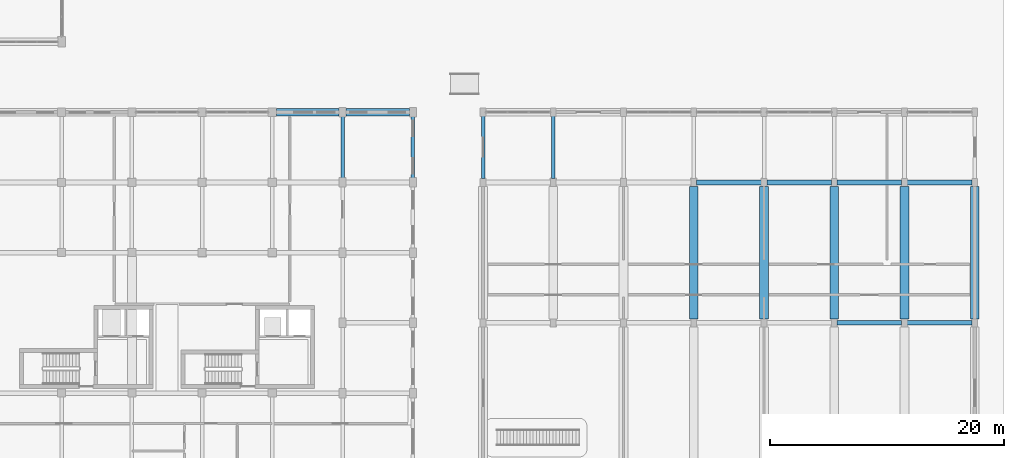
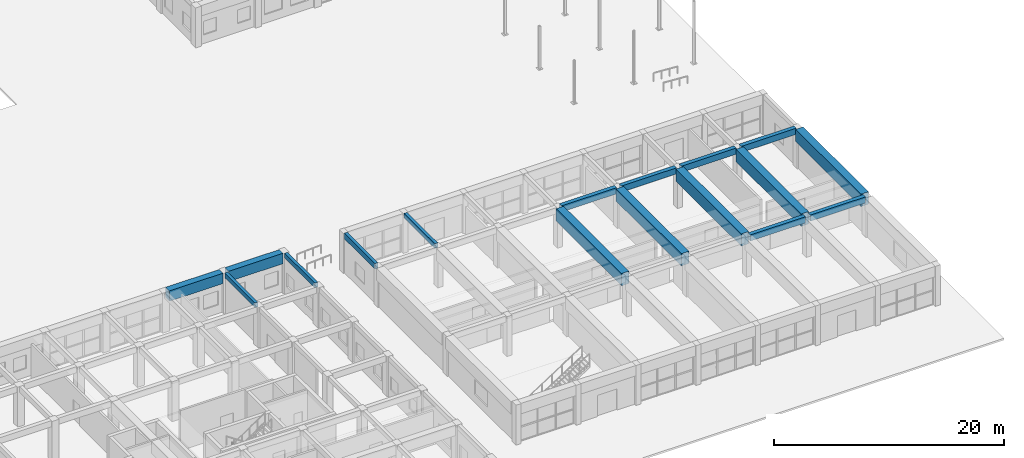
# One storey, part 33 of 76: 17 beams.
"""IFC4 building model written with IfcOpenShell, lengths in metres."""

from ifc_helpers import new_model, si_unit, direction, frame, origin, origin_2d, place, context, subcontext, project, spatial, rectangle, extrude, material, material_profile, profile_set, type_object, element, save


model = new_model("IFC4")

# Units and contexts
model_context = context("Model", 3, precision=1e-05, world=origin(), true_north=direction((0.0, 1.0)))
body_context = subcontext(model_context, "Body", "Model", "MODEL_VIEW")
ifc_project = project(units=[si_unit("LENGTHUNIT", "METRE"), si_unit("AREAUNIT", "SQUARE_METRE"), si_unit("VOLUMEUNIT", "CUBIC_METRE"), si_unit("PLANEANGLEUNIT", "RADIAN"), si_unit("MASSUNIT", "GRAM", prefix="KILO"), si_unit("POWERUNIT", "WATT"), si_unit("THERMODYNAMICTEMPERATUREUNIT", "KELVIN")], contexts=[model_context])

# Site, building, storey
site_placement = place(None, origin())
site = spatial("IfcSite", under=ifc_project, at=site_placement, CompositionType="ELEMENT")
building_placement = place(site_placement, origin())
building = spatial("IfcBuilding", under=site, at=building_placement, Name="Ruvembo Vaulted Housing Court", CompositionType="ELEMENT")
storey_placement = place(building_placement, origin())
storey = spatial("IfcBuildingStorey", under=building, at=storey_placement, Name="L00", CompositionType="ELEMENT", Elevation=0.0)

# Beams
ifc_material_1 = material(Name="Concrete C35/45", Category="concrete")
ifc_material_profile_1 = material_profile(ifc_material_1, rectangle(XDim=0.300048828125, YDim=0.60009765625, at=origin_2d()), Name="RC 300x600")
ifc_profile_set_1 = profile_set([ifc_material_profile_1], Name="Concrete C35/45")
beam_type_1 = type_object("IfcBeamType", Name="BM-RC-300x600", PredefinedType="BEAM", material=ifc_profile_set_1)
beam_1_placement = place(storey_placement, frame((144.0, 30.3349609375, 3.929931640625), z_axis=(0.0, 1.0, 0.0), x_axis=(-1.0, 0.0, 0.0)))
element("IfcBeam", 1, at=beam_1_placement, inside=storey, type_object=beam_type_1, Name="L00 Grid Beam Y #1076", PredefinedType="BEAM", context=body_context, shape_type="SweptSolid", body=[
    extrude(rectangle(XDim=0.300048828125, YDim=0.60009765625, at=origin_2d()), origin(), (0.0, 0.0, 1.0), 5.330078125),
])
ifc_material_profile_2 = material_profile(ifc_material_1, rectangle(XDim=0.39990234375, YDim=0.64990234375, at=origin_2d()), Name="RC 400x650")
ifc_profile_set_2 = profile_set([ifc_material_profile_2], Name="Concrete C35/45")
beam_type_2 = type_object("IfcBeamType", Name="BM-RC-400x650", PredefinedType="BEAM", material=ifc_profile_set_2)
for number, where, z_axis, x_axis, name in (
    (2, (174.235107421875, 18.0, 3.905029296875), (1.0, 0.0, 0.0), (0.0, 1.0, 0.0), "L00 Grid Beam X #783"),
    (3, (180.235107421875, 18.0, 3.905029296875), (1.0, 0.0, 0.0), (0.0, 1.0, 0.0), "L00 Grid Beam X #784"),
    (4, (162.235107421875, 30.0, 3.905029296875), (1.0, 0.0, 0.0), (0.0, 1.0, 0.0), "L00 Grid Beam X #807"),
    (5, (168.235107421875, 30.0, 3.905029296875), (1.0, 0.0, 0.0), (0.0, 1.0, 0.0), "L00 Grid Beam X #808"),
    (6, (174.235107421875, 30.0, 3.905029296875), (1.0, 0.0, 0.0), (0.0, 1.0, 0.0), "L00 Grid Beam X #809"),
    (7, (180.235107421875, 30.0, 3.905029296875), (1.0, 0.0, 0.0), (0.0, 1.0, 0.0), "L00 Grid Beam X #810"),
):
    element("IfcBeam", number, at=place(storey_placement, frame(where, z_axis=z_axis, x_axis=x_axis)), inside=storey, type_object=beam_type_2, Name=name, PredefinedType="BEAM", context=body_context, shape_type="SweptSolid", body=[
        extrude(rectangle(XDim=0.39990234375, YDim=0.64990234375, at=origin_2d()), origin(), (0.0, 0.0, 1.0), 5.52978515625),
    ])
ifc_material_profile_3 = material_profile(ifc_material_1, rectangle(XDim=0.300048828125, YDim=0.5, at=origin_2d()), Name="RC 300x500")
ifc_profile_set_3 = profile_set([ifc_material_profile_3], Name="Concrete C35/45")
beam_type_3 = type_object("IfcBeamType", Name="SP-RC-300x500", PredefinedType="SPANDREL", material=ifc_profile_set_3)
for number, where, z_axis, x_axis, name in (
    (8, (132.0, 30.385009765625, 3.97998046875), (0.0, 1.0, 0.0), (-1.0, 0.0, 0.0), "L00 Grid Beam Y #1067"),
    (9, (138.0, 30.385009765625, 3.97998046875), (0.0, 1.0, 0.0), (-1.0, 0.0, 0.0), "L00 Grid Beam Y #1073"),
):
    element("IfcBeam", number, at=place(storey_placement, frame(where, z_axis=z_axis, x_axis=x_axis)), inside=storey, type_object=beam_type_3, Name=name, PredefinedType="SPANDREL", context=body_context, shape_type="SweptSolid", body=[
        extrude(rectangle(XDim=0.300048828125, YDim=0.5, at=origin_2d()), origin(), (0.0, 0.0, 1.0), 5.22998046875),
    ])
beam_2_placement = place(storey_placement, frame((150.0, 30.3349609375, 3.97998046875), z_axis=(0.0, 1.0, 0.0), x_axis=(-1.0, 0.0, 0.0)))
element("IfcBeam", 10, at=beam_2_placement, inside=storey, type_object=beam_type_3, Name="L00 Grid Beam Y #1078", PredefinedType="SPANDREL", context=body_context, shape_type="SweptSolid", body=[
    extrude(rectangle(XDim=0.300048828125, YDim=0.5, at=origin_2d()), origin(), (0.0, 0.0, 1.0), 5.330078125),
])
ifc_material_2 = material(Name="Concrete C40/50", Category="concrete")
ifc_material_profile_4 = material_profile(ifc_material_2, rectangle(XDim=0.64990234375, YDim=1.10009765625, at=origin_2d()), Name="RC 650x1100")
ifc_profile_set_4 = profile_set([ifc_material_profile_4], Name="Concrete C40/50")
beam_type_4 = type_object("IfcBeamType", Name="TB-RC-650x1100", PredefinedType="BEAM", material=ifc_profile_set_4)
beam_3_placement = place(storey_placement, frame((126.3349609375, 36.0, 3.679931640625), z_axis=(1.0, 0.0, 0.0), x_axis=(0.0, 1.0, 0.0)))
element("IfcBeam", 11, at=beam_3_placement, inside=storey, type_object=beam_type_4, Name="L00 Grid Beam X #821", PredefinedType="BEAM", context=body_context, shape_type="SweptSolid", body=[
    extrude(rectangle(XDim=0.64990234375, YDim=1.10009765625, at=origin_2d()), origin(), (0.0, 0.0, 1.0), 5.380126953125),
])
beam_4_placement = place(storey_placement, frame((132.284912109375, 36.0, 3.679931640625), z_axis=(1.0, 0.0, 0.0), x_axis=(0.0, 1.0, 0.0)))
element("IfcBeam", 12, at=beam_4_placement, inside=storey, type_object=beam_type_4, Name="L00 Grid Beam X #822", PredefinedType="BEAM", context=body_context, shape_type="SweptSolid", body=[
    extrude(rectangle(XDim=0.64990234375, YDim=1.10009765625, at=origin_2d()), origin(), (0.0, 0.0, 1.0), 5.43017578125),
])
ifc_material_profile_5 = material_profile(ifc_material_2, rectangle(XDim=0.75, YDim=1.300048828125, at=origin_2d()), Name="RC 750x1300")
ifc_profile_set_5 = profile_set([ifc_material_profile_5], Name="Concrete C40/50")
beam_type_5 = type_object("IfcBeamType", Name="TB-RC-750x1300", PredefinedType="BEAM", material=ifc_profile_set_5)
for number, where, z_axis, x_axis, name in (
    (13, (162.0, 18.3349609375, 3.580078125), (0.0, 1.0, 0.0), (-1.0, 0.0, 0.0), "L00 Grid Beam Y #1095"),
    (14, (168.0, 18.3349609375, 3.580078125), (0.0, 1.0, 0.0), (-1.0, 0.0, 0.0), "L00 Grid Beam Y #1102"),
    (15, (174.0, 18.3349609375, 3.580078125), (0.0, 1.0, 0.0), (-1.0, 0.0, 0.0), "L00 Grid Beam Y #1110"),
    (16, (180.0, 18.3349609375, 3.580078125), (0.0, 1.0, 0.0), (-1.0, 0.0, 0.0), "L00 Grid Beam Y #1117"),
    (17, (186.0, 18.3349609375, 3.580078125), (0.0, 1.0, 0.0), (-1.0, 0.0, 0.0), "L00 Grid Beam Y #1124"),
):
    element("IfcBeam", number, at=place(storey_placement, frame(where, z_axis=z_axis, x_axis=x_axis)), inside=storey, type_object=beam_type_5, Name=name, PredefinedType="BEAM", context=body_context, shape_type="SweptSolid", body=[
        extrude(rectangle(XDim=0.75, YDim=1.300048828125, at=origin_2d()), origin(), (0.0, 0.0, 1.0), 11.330078125),
    ])

save(model, "model.ifc")
